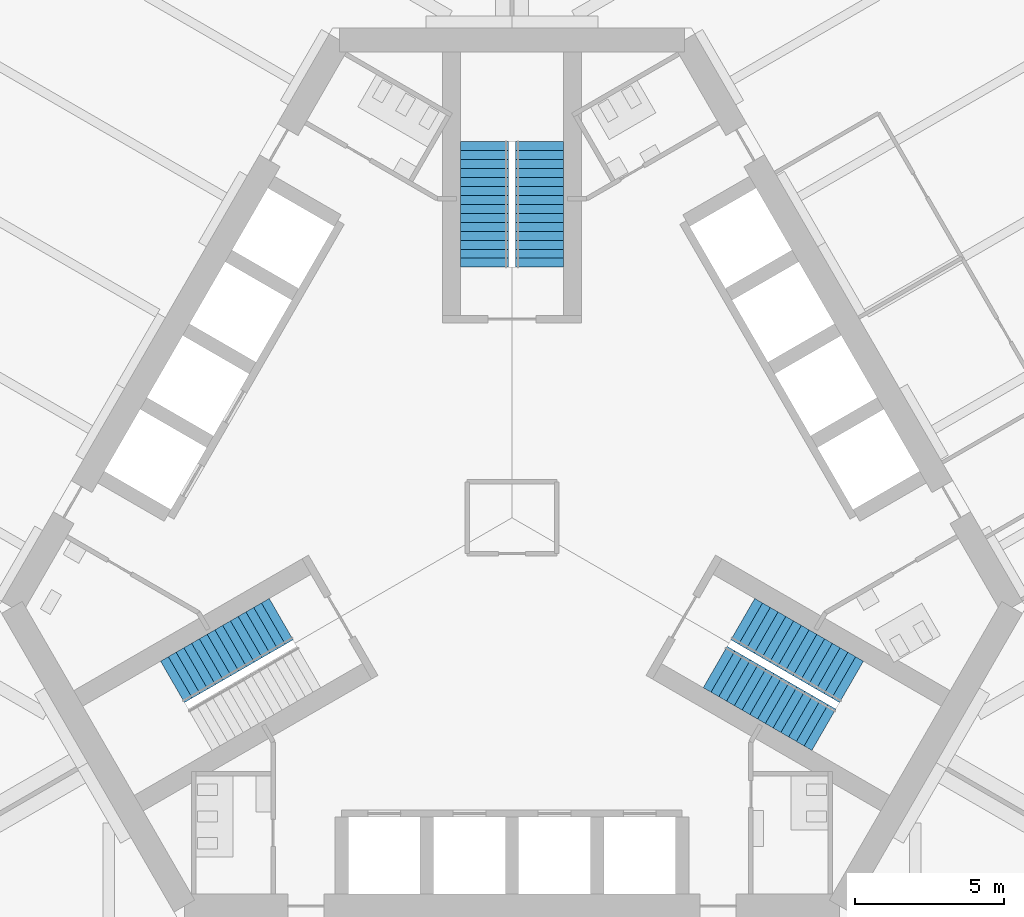
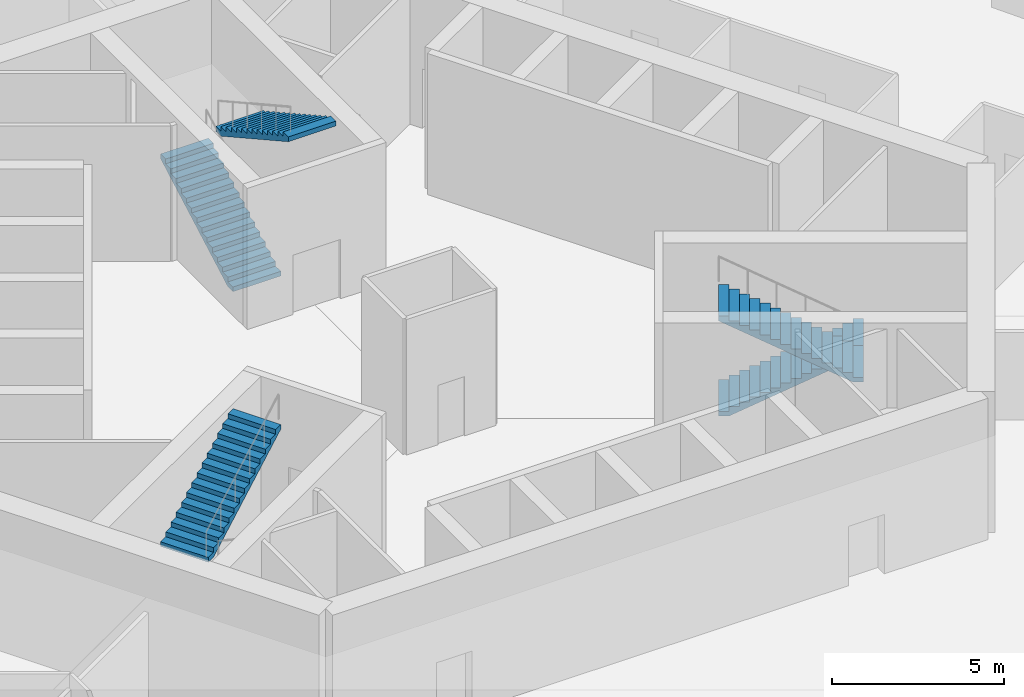
# One storey, part 18 of 21: 5 stair flights, 3 elements without a shape of their own.
"""IFC4 building model written with IfcOpenShell, lengths in metres."""

from ifc_helpers import new_model, si_unit, direction, frame, origin, place, context, subcontext, project, spatial, polyline, outline, extrude, material, type_object, element, aggregate, save


model = new_model("IFC4")

# Units and contexts
model_context = context("Model", 3, precision=1e-05, world=origin(), true_north=direction((0.0, 1.0)))
body_context = subcontext(model_context, "Body", "Model", "MODEL_VIEW")
ifc_project = project(units=[si_unit("LENGTHUNIT", "METRE"), si_unit("AREAUNIT", "SQUARE_METRE"), si_unit("VOLUMEUNIT", "CUBIC_METRE"), si_unit("PLANEANGLEUNIT", "RADIAN"), si_unit("MASSUNIT", "GRAM", prefix="KILO")], contexts=[model_context])

# Site, building, storey
site_placement = place(None, origin())
site = spatial("IfcSite", under=ifc_project, at=site_placement, CompositionType="ELEMENT")
building_placement = place(site_placement, origin())
building = spatial("IfcBuilding", under=site, at=building_placement, Name="Trefoil Bronze Tower", CompositionType="ELEMENT")
storey_placement = place(building_placement, frame((0.0, 0.0, 11.5)))
storey = spatial("IfcBuildingStorey", under=building, at=storey_placement, Name="L02", CompositionType="ELEMENT", Elevation=11.5)

# Stair, stair flights
ifc_material_1 = material(Name="Precast concrete B80", Category="concrete")
stair_type = type_object("IfcStairType", Name="Exit stair 30 risers", PredefinedType="HALF_TURN_STAIR", material=ifc_material_1)
stair_1_placement = place(storey_placement, origin())
stair_1 = element("IfcStair", 1, at=stair_1_placement, inside=storey, type_object=stair_type, Name="Stair ST1 L02", PredefinedType="HALF_TURN_STAIR")
ifc_material_2 = material(Name="Precast concrete B80", Category="concrete")
stair_flight_type = type_object("IfcStairFlightType", Name="Stair flight 1600", PredefinedType="STRAIGHT", material=ifc_material_2)
stair_flight_1_placement = place(storey_placement, frame((7.728515625, -3.39404296875, 0.0), z_axis=(0.0, 0.0, 1.0), x_axis=(0.866025403784, -0.5, 0.0)))
stair_flight_1 = element("IfcStairFlight", 2, at=stair_flight_1_placement, type_object=stair_flight_type, Name="ST1 flight 1", NumberOfRisers=15, NumberOfTreads=14, PredefinedType="STRAIGHT", RiserHeight=0.166666667, TreadLength=0.3, context=body_context, shape_type="SweptSolid", body=[
    extrude(outline(polyline([(0.0, 0.0), (0.0, 0.166748046875), (0.300048828125, 0.166748046875), (0.300048828125, 0.333251953125), (0.60009765625, 0.333251953125), (0.60009765625, 0.5), (0.89990234375, 0.5), (0.89990234375, 0.666748046875), (1.199951171875, 0.666748046875), (1.199951171875, 0.833251953125), (1.5, 0.833251953125), (1.5, 1.0), (1.800048828125, 1.0), (1.800048828125, 1.166748046875), (2.10009765625, 1.166748046875), (2.10009765625, 1.333251953125), (2.39990234375, 1.333251953125), (2.39990234375, 1.5), (2.699951171875, 1.5), (2.699951171875, 1.666748046875), (3.0, 1.666748046875), (3.0, 1.833251953125), (3.300048828125, 1.833251953125), (3.300048828125, 2.0), (3.60009765625, 2.0), (3.60009765625, 2.166748046875), (3.89990234375, 2.166748046875), (3.89990234375, 2.333251953125), (4.199951171875, 2.333251953125), (4.199951171875, 2.5), (4.199951171875, 2.161865234375), (0.30859375, 0.0), (0.0, 0.0)])), frame((0.0, 0.800048828125, 0.0), z_axis=(0.0, -1.0, 0.0), x_axis=(1.0, 0.0, 0.0)), (0.0, 0.0, 1.0), 1.60009765625),
])
stair_flight_2_placement = place(storey_placement, frame((10.440673828125, -7.09619140625, 2.5), z_axis=(0.0, 0.0, 1.0), x_axis=(-0.866025403784, 0.5, 0.0)))
stair_flight_2 = element("IfcStairFlight", 3, at=stair_flight_2_placement, type_object=stair_flight_type, Name="ST1 flight 2", NumberOfRisers=15, NumberOfTreads=14, PredefinedType="STRAIGHT", RiserHeight=0.166666667, TreadLength=0.3, context=body_context, shape_type="SweptSolid", body=[
    extrude(outline(polyline([(0.0, 0.0), (0.0, 0.166748046875), (0.300048828125, 0.166748046875), (0.300048828125, 0.333251953125), (0.60009765625, 0.333251953125), (0.60009765625, 0.5), (0.89990234375, 0.5), (0.89990234375, 0.666748046875), (1.199951171875, 0.666748046875), (1.199951171875, 0.833251953125), (1.5, 0.833251953125), (1.5, 1.0), (1.800048828125, 1.0), (1.800048828125, 1.166748046875), (2.10009765625, 1.166748046875), (2.10009765625, 1.333251953125), (2.39990234375, 1.333251953125), (2.39990234375, 1.5), (2.699951171875, 1.5), (2.699951171875, 1.666748046875), (3.0, 1.666748046875), (3.0, 1.833251953125), (3.300048828125, 1.833251953125), (3.300048828125, 2.0), (3.60009765625, 2.0), (3.60009765625, 2.166748046875), (3.89990234375, 2.166748046875), (3.89990234375, 2.333251953125), (4.199951171875, 2.333251953125), (4.199951171875, 2.5), (4.199951171875, 2.161865234375), (0.30859375, 0.0), (0.0, 0.0)])), frame((0.0, 0.800048828125, 0.0), z_axis=(0.0, -1.0, 0.0), x_axis=(1.0, 0.0, 0.0)), (0.0, 0.0, 1.0), 1.60009765625),
])
aggregate(stair_1, [stair_flight_1, stair_flight_2])

stair_2_placement = place(storey_placement, origin())
stair_2 = element("IfcStair", 4, at=stair_2_placement, inside=storey, type_object=stair_type, Name="Stair ST2 L02", PredefinedType="HALF_TURN_STAIR")
stair_flight_3_placement = place(storey_placement, frame((-0.925048828125, 8.389892578125, 0.0), z_axis=(0.0, 0.0, 1.0), x_axis=(0.0, 1.0, 0.0)))
stair_flight_3 = element("IfcStairFlight", 5, at=stair_flight_3_placement, type_object=stair_flight_type, Name="ST2 flight 1", NumberOfRisers=15, NumberOfTreads=14, PredefinedType="STRAIGHT", RiserHeight=0.166666667, TreadLength=0.3, context=body_context, shape_type="SweptSolid", body=[
    extrude(outline(polyline([(0.0, 0.0), (0.0, 0.166748046875), (0.300048828125, 0.166748046875), (0.300048828125, 0.333251953125), (0.60009765625, 0.333251953125), (0.60009765625, 0.5), (0.89990234375, 0.5), (0.89990234375, 0.666748046875), (1.199951171875, 0.666748046875), (1.199951171875, 0.833251953125), (1.5, 0.833251953125), (1.5, 1.0), (1.800048828125, 1.0), (1.800048828125, 1.166748046875), (2.10009765625, 1.166748046875), (2.10009765625, 1.333251953125), (2.39990234375, 1.333251953125), (2.39990234375, 1.5), (2.699951171875, 1.5), (2.699951171875, 1.666748046875), (3.0, 1.666748046875), (3.0, 1.833251953125), (3.300048828125, 1.833251953125), (3.300048828125, 2.0), (3.60009765625, 2.0), (3.60009765625, 2.166748046875), (3.89990234375, 2.166748046875), (3.89990234375, 2.333251953125), (4.199951171875, 2.333251953125), (4.199951171875, 2.5), (4.199951171875, 2.161865234375), (0.30859375, 0.0), (0.0, 0.0)])), frame((0.0, 0.800048828125, 0.0), z_axis=(0.0, -1.0, 0.0), x_axis=(1.0, 0.0, 0.0)), (0.0, 0.0, 1.0), 1.60009765625),
])
stair_flight_4_placement = place(storey_placement, frame((0.925048828125, 12.590087890625, 2.5), z_axis=(0.0, 0.0, 1.0), x_axis=(0.0, -1.0, 0.0)))
stair_flight_4 = element("IfcStairFlight", 6, at=stair_flight_4_placement, type_object=stair_flight_type, Name="ST2 flight 2", NumberOfRisers=15, NumberOfTreads=14, PredefinedType="STRAIGHT", RiserHeight=0.166666667, TreadLength=0.3, context=body_context, shape_type="SweptSolid", body=[
    extrude(outline(polyline([(0.0, 0.0), (0.0, 0.166748046875), (0.300048828125, 0.166748046875), (0.300048828125, 0.333251953125), (0.60009765625, 0.333251953125), (0.60009765625, 0.5), (0.89990234375, 0.5), (0.89990234375, 0.666748046875), (1.199951171875, 0.666748046875), (1.199951171875, 0.833251953125), (1.5, 0.833251953125), (1.5, 1.0), (1.800048828125, 1.0), (1.800048828125, 1.166748046875), (2.10009765625, 1.166748046875), (2.10009765625, 1.333251953125), (2.39990234375, 1.333251953125), (2.39990234375, 1.5), (2.699951171875, 1.5), (2.699951171875, 1.666748046875), (3.0, 1.666748046875), (3.0, 1.833251953125), (3.300048828125, 1.833251953125), (3.300048828125, 2.0), (3.60009765625, 2.0), (3.60009765625, 2.166748046875), (3.89990234375, 2.166748046875), (3.89990234375, 2.333251953125), (4.199951171875, 2.333251953125), (4.199951171875, 2.5), (4.199951171875, 2.161865234375), (0.30859375, 0.0), (0.0, 0.0)])), frame((0.0, 0.800048828125, 0.0), z_axis=(0.0, -1.0, 0.0), x_axis=(1.0, 0.0, 0.0)), (0.0, 0.0, 1.0), 1.60009765625),
])
aggregate(stair_2, [stair_flight_3, stair_flight_4])

# Stair, stair flight
stair_3_placement = place(storey_placement, origin())
stair_3 = element("IfcStair", 7, at=stair_3_placement, inside=storey, type_object=stair_type, Name="Stair ST3 L02", PredefinedType="HALF_TURN_STAIR")
stair_flight_5_placement = place(storey_placement, frame((-11.36572265625, -5.493896484375, 2.5), z_axis=(0.0, 0.0, 1.0), x_axis=(0.866025403784, 0.5, 0.0)))
stair_flight_5 = element("IfcStairFlight", 8, at=stair_flight_5_placement, type_object=stair_flight_type, Name="ST3 flight 2", NumberOfRisers=15, NumberOfTreads=14, PredefinedType="STRAIGHT", RiserHeight=0.166666667, TreadLength=0.3, context=body_context, shape_type="SweptSolid", body=[
    extrude(outline(polyline([(0.0, 0.0), (0.0, 0.166748046875), (0.300048828125, 0.166748046875), (0.300048828125, 0.333251953125), (0.60009765625, 0.333251953125), (0.60009765625, 0.5), (0.89990234375, 0.5), (0.89990234375, 0.666748046875), (1.199951171875, 0.666748046875), (1.199951171875, 0.833251953125), (1.5, 0.833251953125), (1.5, 1.0), (1.800048828125, 1.0), (1.800048828125, 1.166748046875), (2.10009765625, 1.166748046875), (2.10009765625, 1.333251953125), (2.39990234375, 1.333251953125), (2.39990234375, 1.5), (2.699951171875, 1.5), (2.699951171875, 1.666748046875), (3.0, 1.666748046875), (3.0, 1.833251953125), (3.300048828125, 1.833251953125), (3.300048828125, 2.0), (3.60009765625, 2.0), (3.60009765625, 2.166748046875), (3.89990234375, 2.166748046875), (3.89990234375, 2.333251953125), (4.199951171875, 2.333251953125), (4.199951171875, 2.5), (4.199951171875, 2.161865234375), (0.30859375, 0.0), (0.0, 0.0)])), frame((0.0, 0.800048828125, 0.0), z_axis=(0.0, -1.0, 0.0), x_axis=(1.0, 0.0, 0.0)), (0.0, 0.0, 1.0), 1.60009765625),
])
aggregate(stair_3, [stair_flight_5])

save(model, "model.ifc")
